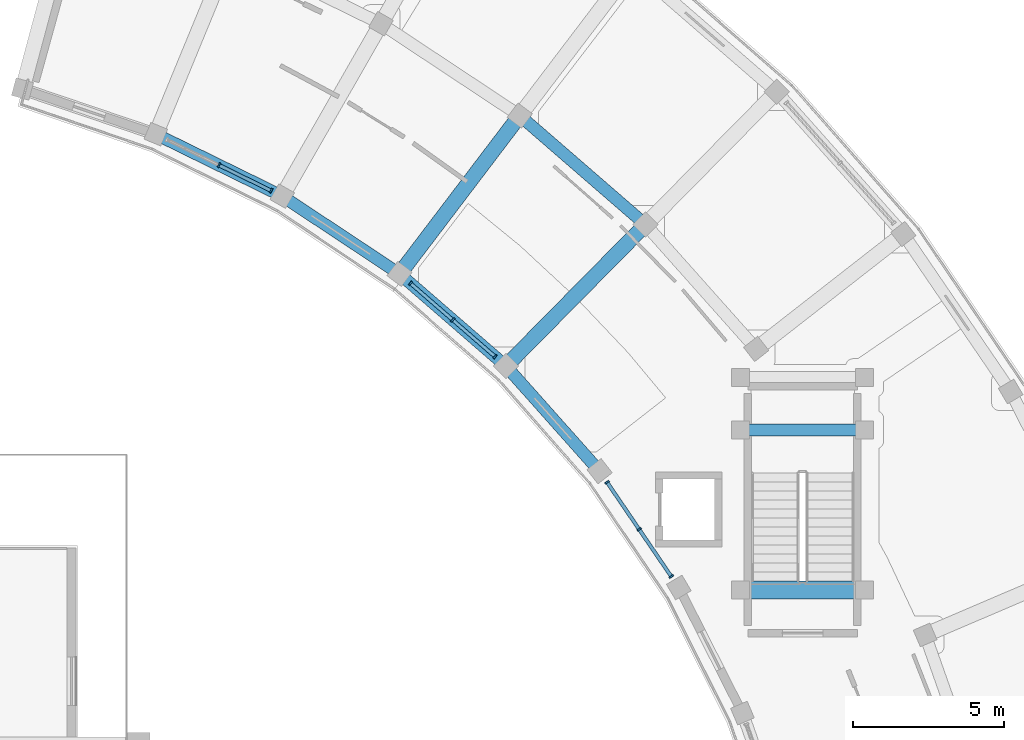
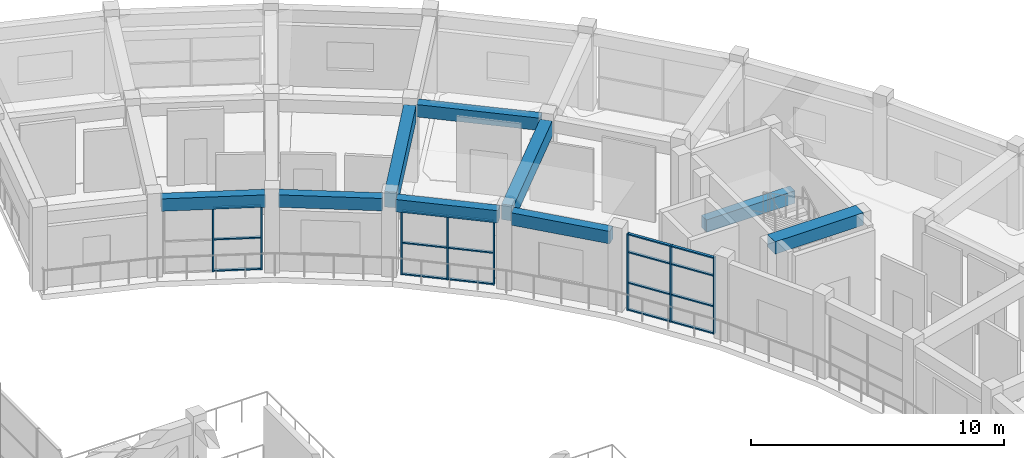
# One storey, part 34 of 72: 25 members, 9 beams, 3 elements without a shape of their own.
"""IFC4 building model written with IfcOpenShell, lengths in metres."""

from ifc_helpers import new_model, si_unit, direction, frame, origin, origin_2d, place, context, subcontext, project, spatial, rectangle, extrude, material, material_profile, profile_set, type_object, element, aggregate, save


model = new_model("IFC4")

# Units and contexts
model_context = context("Model", 3, precision=1e-05, world=origin(), true_north=direction((0.0, 1.0)))
body_context = subcontext(model_context, "Body", "Model", "MODEL_VIEW")
ifc_project = project(units=[si_unit("LENGTHUNIT", "METRE"), si_unit("AREAUNIT", "SQUARE_METRE"), si_unit("VOLUMEUNIT", "CUBIC_METRE"), si_unit("PLANEANGLEUNIT", "RADIAN"), si_unit("MASSUNIT", "GRAM", prefix="KILO")], contexts=[model_context])

# Site, building, storey
site_placement = place(None, origin())
site = spatial("IfcSite", under=ifc_project, at=site_placement, CompositionType="ELEMENT")
building_placement = place(site_placement, origin())
building = spatial("IfcBuilding", under=site, at=building_placement, Name="Saryqyr Civic Hall", CompositionType="ELEMENT")
storey_placement = place(building_placement, frame((0.0, 0.0, 17.25)))
storey = spatial("IfcBuildingStorey", under=building, at=storey_placement, Name="L04", CompositionType="ELEMENT", Elevation=17.25)

# Curtain wall, members
ifc_material_1 = material(Name="Anodised aluminium and triple low-E glass", Category="aluminium")
curtain_wall_type_1 = type_object("IfcCurtainWallType", Name="ENV-CW-STD-44", PredefinedType="NOTDEFINED", material=ifc_material_1)
curtain_wall_1_placement = place(storey_placement, origin())
curtain_wall_1 = element("IfcCurtainWall", 1, at=curtain_wall_1_placement, inside=storey, type_object=curtain_wall_type_1, Name="Curtain wall V6-CWI-L04-04", PredefinedType="NOTDEFINED")
ifc_material_2 = material(Name="Anodised aluminium", Category="aluminium")
ifc_material_profile_1 = material_profile(ifc_material_2, rectangle(XDim=0.06005859375, YDim=0.159912109375, at=origin_2d()), Name="ALU MULLION 60x160")
ifc_profile_set_1 = profile_set([ifc_material_profile_1], Name="Anodised aluminium")
member_type_1 = type_object("IfcMemberType", Name="ENV-CW-MUL-180", PredefinedType="MULLION", material=ifc_profile_set_1)
member_1_placement = place(storey_placement, frame((87.919921875, 102.77587890625, 0.0), z_axis=(0.0, 0.0, 1.0), x_axis=(-0.563129803105, 0.826368455869, 0.0)))
member_1 = element("IfcMember", 2, at=member_1_placement, type_object=member_type_1, Name="CW-44 mullion 1", PredefinedType="MULLION", context=body_context, shape_type="SweptSolid", body=[
    extrude(rectangle(XDim=0.06005859375, YDim=0.159912109375, at=origin_2d()), origin(), (0.0, 0.0, 1.0), 3.699951171875),
])
member_2_placement = place(storey_placement, frame((86.85205078125, 104.3427734375, 0.0), z_axis=(0.0, 0.0, 1.0), x_axis=(-0.563129803105, 0.826368455869, 0.0)))
member_2 = element("IfcMember", 3, at=member_2_placement, type_object=member_type_1, Name="CW-44 mullion 2", PredefinedType="MULLION", context=body_context, shape_type="SweptSolid", body=[
    extrude(rectangle(XDim=0.06005859375, YDim=0.159912109375, at=origin_2d()), origin(), (0.0, 0.0, 1.0), 3.699951171875),
])
member_3_placement = place(storey_placement, frame((85.7841796875, 105.90966796875, 0.0), z_axis=(0.0, 0.0, 1.0), x_axis=(-0.563129803105, 0.826368455869, 0.0)))
member_3 = element("IfcMember", 4, at=member_3_placement, type_object=member_type_1, Name="CW-44 mullion 3", PredefinedType="MULLION", context=body_context, shape_type="SweptSolid", body=[
    extrude(rectangle(XDim=0.06005859375, YDim=0.159912109375, at=origin_2d()), origin(), (0.0, 0.0, 1.0), 3.699951171875),
])

curtain_wall_type_2 = type_object("IfcCurtainWallType", Name="ENV-CW-STD-20", PredefinedType="NOTDEFINED", material=ifc_material_1)
curtain_wall_2_placement = place(storey_placement, origin())
curtain_wall_2 = element("IfcCurtainWall", 5, at=curtain_wall_2_placement, inside=storey, type_object=curtain_wall_type_2, Name="Curtain wall V6-CWI-L04-06", PredefinedType="NOTDEFINED")
member_4_placement = place(storey_placement, frame((82.064208984375, 110.080810546875, 0.0), z_axis=(0.0, 0.0, 1.0), x_axis=(-0.755651502076, 0.654973898267, 0.0)))
member_4 = element("IfcMember", 6, at=member_4_placement, type_object=member_type_1, Name="CW-20 mullion 1", PredefinedType="MULLION", context=body_context, shape_type="SweptSolid", body=[
    extrude(rectangle(XDim=0.06005859375, YDim=0.159912109375, at=origin_2d()), origin(), (0.0, 0.0, 1.0), 3.0849609375),
])
member_5_placement = place(storey_placement, frame((80.660400390625, 111.297607421875, 0.0), z_axis=(0.0, 0.0, 1.0), x_axis=(-0.755651502076, 0.654973898267, 0.0)))
member_5 = element("IfcMember", 7, at=member_5_placement, type_object=member_type_1, Name="CW-20 mullion 2", PredefinedType="MULLION", context=body_context, shape_type="SweptSolid", body=[
    extrude(rectangle(XDim=0.06005859375, YDim=0.159912109375, at=origin_2d()), origin(), (0.0, 0.0, 1.0), 3.0849609375),
])
member_6_placement = place(storey_placement, frame((79.256591796875, 112.514404296875, 0.0), z_axis=(0.0, 0.0, 1.0), x_axis=(-0.755651502076, 0.654973898267, 0.0)))
member_6 = element("IfcMember", 8, at=member_6_placement, type_object=member_type_1, Name="CW-20 mullion 3", PredefinedType="MULLION", context=body_context, shape_type="SweptSolid", body=[
    extrude(rectangle(XDim=0.06005859375, YDim=0.159912109375, at=origin_2d()), origin(), (0.0, 0.0, 1.0), 3.0849609375),
])

curtain_wall_type_3 = type_object("IfcCurtainWallType", Name="ENV-CW-STD-17", PredefinedType="NOTDEFINED", material=ifc_material_1)
curtain_wall_3_placement = place(storey_placement, origin())
curtain_wall_3 = element("IfcCurtainWall", 9, at=curtain_wall_3_placement, inside=storey, type_object=curtain_wall_type_3, Name="Curtain wall V6-CWI-L04-08", PredefinedType="NOTDEFINED")
member_7_placement = place(storey_placement, frame((74.62890625, 115.58984375, 0.0), z_axis=(0.0, 0.0, 1.0), x_axis=(-0.897961859945, 0.440073287175, 0.0)))
member_7 = element("IfcMember", 10, at=member_7_placement, type_object=member_type_1, Name="CW-17 mullion 1", PredefinedType="MULLION", context=body_context, shape_type="SweptSolid", body=[
    extrude(rectangle(XDim=0.06005859375, YDim=0.159912109375, at=origin_2d()), origin(), (0.0, 0.0, 1.0), 3.0849609375),
])
member_8_placement = place(storey_placement, frame((72.896728515625, 116.438720703125, 0.0), z_axis=(0.0, 0.0, 1.0), x_axis=(-0.897961859945, 0.440073287175, 0.0)))
member_8 = element("IfcMember", 11, at=member_8_placement, type_object=member_type_1, Name="CW-17 mullion 2", PredefinedType="MULLION", context=body_context, shape_type="SweptSolid", body=[
    extrude(rectangle(XDim=0.06005859375, YDim=0.159912109375, at=origin_2d()), origin(), (0.0, 0.0, 1.0), 3.0849609375),
])

# Member
ifc_material_profile_2 = material_profile(ifc_material_2, rectangle(XDim=0.1201171875, YDim=0.06005859375, at=origin_2d()), Name="ALU TRANSOM 120x60")
ifc_profile_set_2 = profile_set([ifc_material_profile_2], Name="Anodised aluminium")
member_type_2 = type_object("IfcMemberType", Name="ENV-CW-TRN-150", PredefinedType="USERDEFINED", material=ifc_profile_set_2)
member_9_placement = place(storey_placement, frame((87.903076171875, 102.800537109375, 0.030029296875), z_axis=(-0.563200673278, 0.826320156852, 0.0), x_axis=(-0.826320156852, -0.563200673278, 0.0)))
member_9 = element("IfcMember", 12, at=member_9_placement, type_object=member_type_2, Name="CW-44 transom 1.1", ObjectType="TRANSOM", PredefinedType="USERDEFINED", context=body_context, shape_type="SweptSolid", body=[
    extrude(rectangle(XDim=0.1201171875, YDim=0.06005859375, at=origin_2d()), origin(), (0.0, 0.0, 1.0), 1.836181640625),
])

member_10_placement = place(storey_placement, frame((87.903076171875, 102.800537109375, 1.33203125), z_axis=(-0.563200673278, 0.826320156852, 0.0), x_axis=(-0.826320156852, -0.563200673278, 0.0)))
member_10 = element("IfcMember", 13, at=member_10_placement, type_object=member_type_2, Name="CW-44 transom 1.2", ObjectType="TRANSOM", PredefinedType="USERDEFINED", context=body_context, shape_type="SweptSolid", body=[
    extrude(rectangle(XDim=0.1201171875, YDim=0.06005859375, at=origin_2d()), origin(), (0.0, 0.0, 1.0), 1.836181640625),
])

member_11_placement = place(storey_placement, frame((87.903076171875, 102.800537109375, 2.81201171875), z_axis=(-0.563200673278, 0.826320156852, 0.0), x_axis=(-0.826320156852, -0.563200673278, 0.0)))
member_11 = element("IfcMember", 14, at=member_11_placement, type_object=member_type_2, Name="CW-44 transom 1.3", ObjectType="TRANSOM", PredefinedType="USERDEFINED", context=body_context, shape_type="SweptSolid", body=[
    extrude(rectangle(XDim=0.1201171875, YDim=0.06005859375, at=origin_2d()), origin(), (0.0, 0.0, 1.0), 1.836181640625),
])

member_12_placement = place(storey_placement, frame((87.903076171875, 102.800537109375, 3.669921875), z_axis=(-0.563200673278, 0.826320156852, 0.0), x_axis=(-0.826320156852, -0.563200673278, 0.0)))
member_12 = element("IfcMember", 15, at=member_12_placement, type_object=member_type_2, Name="CW-44 transom 1.4", ObjectType="TRANSOM", PredefinedType="USERDEFINED", context=body_context, shape_type="SweptSolid", body=[
    extrude(rectangle(XDim=0.1201171875, YDim=0.06005859375, at=origin_2d()), origin(), (0.0, 0.0, 1.0), 1.836181640625),
])

member_13_placement = place(storey_placement, frame((86.835205078125, 104.367431640625, 0.030029296875), z_axis=(-0.56304801064, 0.826424187518, 0.0), x_axis=(-0.826424187518, -0.56304801064, 0.0)))
member_13 = element("IfcMember", 16, at=member_13_placement, type_object=member_type_2, Name="CW-44 transom 2.1", ObjectType="TRANSOM", PredefinedType="USERDEFINED", context=body_context, shape_type="SweptSolid", body=[
    extrude(rectangle(XDim=0.1201171875, YDim=0.06005859375, at=origin_2d()), origin(), (0.0, 0.0, 1.0), 1.83642578125),
])

member_14_placement = place(storey_placement, frame((86.835205078125, 104.367431640625, 1.33203125), z_axis=(-0.56304801064, 0.826424187518, 0.0), x_axis=(-0.826424187518, -0.56304801064, 0.0)))
member_14 = element("IfcMember", 17, at=member_14_placement, type_object=member_type_2, Name="CW-44 transom 2.2", ObjectType="TRANSOM", PredefinedType="USERDEFINED", context=body_context, shape_type="SweptSolid", body=[
    extrude(rectangle(XDim=0.1201171875, YDim=0.06005859375, at=origin_2d()), origin(), (0.0, 0.0, 1.0), 1.83642578125),
])

member_15_placement = place(storey_placement, frame((86.835205078125, 104.367431640625, 2.81201171875), z_axis=(-0.56304801064, 0.826424187518, 0.0), x_axis=(-0.826424187518, -0.56304801064, 0.0)))
member_15 = element("IfcMember", 18, at=member_15_placement, type_object=member_type_2, Name="CW-44 transom 2.3", ObjectType="TRANSOM", PredefinedType="USERDEFINED", context=body_context, shape_type="SweptSolid", body=[
    extrude(rectangle(XDim=0.1201171875, YDim=0.06005859375, at=origin_2d()), origin(), (0.0, 0.0, 1.0), 1.83642578125),
])

member_16_placement = place(storey_placement, frame((86.835205078125, 104.367431640625, 3.669921875), z_axis=(-0.56304801064, 0.826424187518, 0.0), x_axis=(-0.826424187518, -0.56304801064, 0.0)))
member_16 = element("IfcMember", 19, at=member_16_placement, type_object=member_type_2, Name="CW-44 transom 2.4", ObjectType="TRANSOM", PredefinedType="USERDEFINED", context=body_context, shape_type="SweptSolid", body=[
    extrude(rectangle(XDim=0.1201171875, YDim=0.06005859375, at=origin_2d()), origin(), (0.0, 0.0, 1.0), 1.83642578125),
])

aggregate(curtain_wall_1, [member_1, member_2, member_3, member_9, member_10, member_11, member_12, member_13, member_14, member_15, member_16])

member_17_placement = place(storey_placement, frame((82.04150390625, 110.1005859375, 0.030029296875), z_axis=(-0.755698045408, 0.654920196793, 0.0), x_axis=(-0.654920196793, -0.755698045408, 0.0)))
member_17 = element("IfcMember", 20, at=member_17_placement, type_object=member_type_2, Name="CW-20 transom 1.1", ObjectType="TRANSOM", PredefinedType="USERDEFINED", context=body_context, shape_type="SweptSolid", body=[
    extrude(rectangle(XDim=0.1201171875, YDim=0.06005859375, at=origin_2d()), origin(), (0.0, 0.0, 1.0), 1.797607421875),
])

member_18_placement = place(storey_placement, frame((82.04150390625, 110.1005859375, 1.54296875), z_axis=(-0.755698045408, 0.654920196793, 0.0), x_axis=(-0.654920196793, -0.755698045408, 0.0)))
member_18 = element("IfcMember", 21, at=member_18_placement, type_object=member_type_2, Name="CW-20 transom 1.2", ObjectType="TRANSOM", PredefinedType="USERDEFINED", context=body_context, shape_type="SweptSolid", body=[
    extrude(rectangle(XDim=0.1201171875, YDim=0.06005859375, at=origin_2d()), origin(), (0.0, 0.0, 1.0), 1.797607421875),
])

member_19_placement = place(storey_placement, frame((82.04150390625, 110.1005859375, 3.054931640625), z_axis=(-0.755698045408, 0.654920196793, 0.0), x_axis=(-0.654920196793, -0.755698045408, 0.0)))
member_19 = element("IfcMember", 22, at=member_19_placement, type_object=member_type_2, Name="CW-20 transom 1.3", ObjectType="TRANSOM", PredefinedType="USERDEFINED", context=body_context, shape_type="SweptSolid", body=[
    extrude(rectangle(XDim=0.1201171875, YDim=0.06005859375, at=origin_2d()), origin(), (0.0, 0.0, 1.0), 1.797607421875),
])

member_20_placement = place(storey_placement, frame((80.6376953125, 111.317138671875, 0.030029296875), z_axis=(-0.755630827507, 0.654997750012, 0.0), x_axis=(-0.654997750012, -0.755630827507, 0.0)))
member_20 = element("IfcMember", 23, at=member_20_placement, type_object=member_type_2, Name="CW-20 transom 2.1", ObjectType="TRANSOM", PredefinedType="USERDEFINED", context=body_context, shape_type="SweptSolid", body=[
    extrude(rectangle(XDim=0.1201171875, YDim=0.06005859375, at=origin_2d()), origin(), (0.0, 0.0, 1.0), 1.797607421875),
])

member_21_placement = place(storey_placement, frame((80.6376953125, 111.317138671875, 1.54296875), z_axis=(-0.755630827507, 0.654997750012, 0.0), x_axis=(-0.654997750012, -0.755630827507, 0.0)))
member_21 = element("IfcMember", 24, at=member_21_placement, type_object=member_type_2, Name="CW-20 transom 2.2", ObjectType="TRANSOM", PredefinedType="USERDEFINED", context=body_context, shape_type="SweptSolid", body=[
    extrude(rectangle(XDim=0.1201171875, YDim=0.06005859375, at=origin_2d()), origin(), (0.0, 0.0, 1.0), 1.797607421875),
])

member_22_placement = place(storey_placement, frame((80.6376953125, 111.317138671875, 3.054931640625), z_axis=(-0.755630827507, 0.654997750012, 0.0), x_axis=(-0.654997750012, -0.755630827507, 0.0)))
member_22 = element("IfcMember", 25, at=member_22_placement, type_object=member_type_2, Name="CW-20 transom 2.3", ObjectType="TRANSOM", PredefinedType="USERDEFINED", context=body_context, shape_type="SweptSolid", body=[
    extrude(rectangle(XDim=0.1201171875, YDim=0.06005859375, at=origin_2d()), origin(), (0.0, 0.0, 1.0), 1.797607421875),
])

aggregate(curtain_wall_2, [member_4, member_5, member_6, member_17, member_18, member_19, member_20, member_21, member_22])

member_23_placement = place(storey_placement, frame((74.60205078125, 115.60302734375, 0.030029296875), z_axis=(-0.897952102471, 0.44009319657, 0.0), x_axis=(-0.44009319657, -0.897952102471, 0.0)))
member_23 = element("IfcMember", 26, at=member_23_placement, type_object=member_type_2, Name="CW-17 transom 1.1", ObjectType="TRANSOM", PredefinedType="USERDEFINED", context=body_context, shape_type="SweptSolid", body=[
    extrude(rectangle(XDim=0.1201171875, YDim=0.06005859375, at=origin_2d()), origin(), (0.0, 0.0, 1.0), 1.868896484375),
])

member_24_placement = place(storey_placement, frame((74.60205078125, 115.60302734375, 1.54296875), z_axis=(-0.897952102471, 0.44009319657, 0.0), x_axis=(-0.44009319657, -0.897952102471, 0.0)))
member_24 = element("IfcMember", 27, at=member_24_placement, type_object=member_type_2, Name="CW-17 transom 1.2", ObjectType="TRANSOM", PredefinedType="USERDEFINED", context=body_context, shape_type="SweptSolid", body=[
    extrude(rectangle(XDim=0.1201171875, YDim=0.06005859375, at=origin_2d()), origin(), (0.0, 0.0, 1.0), 1.868896484375),
])

member_25_placement = place(storey_placement, frame((74.60205078125, 115.60302734375, 3.054931640625), z_axis=(-0.897952102471, 0.44009319657, 0.0), x_axis=(-0.44009319657, -0.897952102471, 0.0)))
member_25 = element("IfcMember", 28, at=member_25_placement, type_object=member_type_2, Name="CW-17 transom 1.3", ObjectType="TRANSOM", PredefinedType="USERDEFINED", context=body_context, shape_type="SweptSolid", body=[
    extrude(rectangle(XDim=0.1201171875, YDim=0.06005859375, at=origin_2d()), origin(), (0.0, 0.0, 1.0), 1.868896484375),
])

aggregate(curtain_wall_3, [member_7, member_8, member_23, member_24, member_25])

# Beams
ifc_material_3 = material(Name="Concrete C35/45", Category="concrete")
ifc_material_profile_3 = material_profile(ifc_material_3, rectangle(XDim=0.39990234375, YDim=0.60009765625, at=origin_2d()), Name="RC 400x600")
ifc_profile_set_3 = profile_set([ifc_material_profile_3], Name="Concrete C35/45")
beam_type_1 = type_object("IfcBeamType", Name="STR-BM-RC400x600", PredefinedType="BEAM", material=ifc_profile_set_3)
beam_1_placement = place(storey_placement, frame((86.85498046875, 114.644287109375, 3.409912109375), z_axis=(-0.755658334576, 0.654966015443, 0.0), x_axis=(-0.654966015443, -0.755658334576, 0.0)))
element("IfcBeam", 29, at=beam_1_placement, inside=storey, type_object=beam_type_1, Name="Beam V6-CBM-MID06-L04", PredefinedType="BEAM", context=body_context, shape_type="SweptSolid", body=[
    extrude(rectangle(XDim=0.39990234375, YDim=0.60009765625, at=origin_2d()), origin(), (0.0, 0.0, 1.0), 4.977783203125),
])
beam_2_placement = place(storey_placement, frame((94.300048828125, 107.64990234375, 1.52490234375), z_axis=(-1.0, 0.0, 0.0), x_axis=(0.0, -1.0, 0.0)))
element("IfcBeam", 30, at=beam_2_placement, inside=storey, type_object=beam_type_1, Name="Stair half-landing support beam ST-6-LND1-L04", PredefinedType="BEAM", context=body_context, shape_type="SweptSolid", body=[
    extrude(rectangle(XDim=0.39990234375, YDim=0.60009765625, at=origin_2d()), origin(), (0.0, 0.0, 1.0), 4.0400390625),
])
ifc_material_profile_4 = material_profile(ifc_material_3, rectangle(XDim=0.39990234375, YDim=0.60009765625, at=origin_2d()), Name="RC 400x600")
ifc_profile_set_4 = profile_set([ifc_material_profile_4], Name="Concrete C35/45")
beam_type_2 = type_object("IfcBeamType", Name="STR-BM-RC400x600-EXT", PredefinedType="BEAM", material=ifc_profile_set_4)
beam_3_placement = place(storey_placement, frame((85.352783203125, 106.47998046875, 3.409912109375), z_axis=(-0.664933037621, 0.746902975948, 0.0), x_axis=(-0.746902975948, -0.664933037621, 0.0)))
element("IfcBeam", 31, at=beam_3_placement, inside=storey, type_object=beam_type_2, Name="Beam V6-CBM-IN05-L04", PredefinedType="BEAM", context=body_context, shape_type="SweptSolid", body=[
    extrude(rectangle(XDim=0.39990234375, YDim=0.60009765625, at=origin_2d()), origin(), (0.0, 0.0, 1.0), 4.125),
])
beam_4_placement = place(storey_placement, frame((82.218994140625, 109.946533203125, 3.409912109375), z_axis=(-0.755618782617, 0.655011645207, 0.0), x_axis=(-0.655011645207, -0.755618782617, 0.0)))
element("IfcBeam", 32, at=beam_4_placement, inside=storey, type_object=beam_type_2, Name="Beam V6-CBM-IN06-L04", PredefinedType="BEAM", context=body_context, shape_type="SweptSolid", body=[
    extrude(rectangle(XDim=0.39990234375, YDim=0.60009765625, at=origin_2d()), origin(), (0.0, 0.0, 1.0), 4.125244140625),
])
beam_5_placement = place(storey_placement, frame((78.664794921875, 112.98046875, 3.409912109375), z_axis=(-0.833757941264, 0.552130143516, 0.0), x_axis=(-0.552130143516, -0.833757941264, 0.0)))
element("IfcBeam", 33, at=beam_5_placement, inside=storey, type_object=beam_type_2, Name="Beam V6-CBM-IN07-L04", PredefinedType="BEAM", context=body_context, shape_type="SweptSolid", body=[
    extrude(rectangle(XDim=0.39990234375, YDim=0.60009765625, at=origin_2d()), origin(), (0.0, 0.0, 1.0), 4.12548828125),
])
beam_6_placement = place(storey_placement, frame((74.7490234375, 115.531005859375, 3.409912109375), z_axis=(-0.897961536886, 0.440073946371, 0.0), x_axis=(-0.440073946371, -0.897961536886, 0.0)))
element("IfcBeam", 34, at=beam_6_placement, inside=storey, type_object=beam_type_2, Name="Beam V6-CBM-IN08-L04", PredefinedType="BEAM", context=body_context, shape_type="SweptSolid", body=[
    extrude(rectangle(XDim=0.39990234375, YDim=0.60009765625, at=origin_2d()), origin(), (0.0, 0.0, 1.0), 4.125244140625),
])
ifc_material_4 = material(Name="Concrete C40/50", Category="concrete")
ifc_material_profile_5 = material_profile(ifc_material_4, rectangle(XDim=0.5, YDim=0.75, at=origin_2d()), Name="RC 500x750")
ifc_profile_set_5 = profile_set([ifc_material_profile_5], Name="Concrete C40/50")
beam_type_3 = type_object("IfcBeamType", Name="STR-BM-RC500x750", PredefinedType="BEAM", material=ifc_profile_set_5)
for number, where, z_axis, x_axis, name in (
    (35, (82.6201171875, 109.962158203125, 3.3349609375), (0.702389990829, 0.711792315766, 0.0), (-0.711792315766, 0.702389990829, 0.0), "Beam V6-RBM-A06-L04"),
    (36, (79.060302734375, 113.047607421875, 3.3349609375), (0.60481209734, 0.796368210636, 0.0), (-0.796368210636, 0.60481209734, 0.0), "Beam V6-RBM-A07-L04"),
):
    element("IfcBeam", number, at=place(storey_placement, frame(where, z_axis=z_axis, x_axis=x_axis)), inside=storey, type_object=beam_type_3, Name=name, PredefinedType="BEAM", context=body_context, shape_type="SweptSolid", body=[
        extrude(rectangle(XDim=0.5, YDim=0.75, at=origin_2d()), origin(), (0.0, 0.0, 1.0), 6.050048828125),
    ])
ifc_material_profile_6 = material_profile(ifc_material_4, rectangle(XDim=0.60009765625, YDim=0.60009765625, at=origin_2d()), Name="RC 600x600")
ifc_profile_set_6 = profile_set([ifc_material_profile_6], Name="Concrete C40/50")
beam_type_4 = type_object("IfcBeamType", Name="STR-BM-RC600x600", PredefinedType="BEAM", material=ifc_profile_set_6)
beam_7_placement = place(storey_placement, frame((94.300048828125, 102.3349609375, 3.75), z_axis=(-1.0, 0.0, 0.0), x_axis=(0.0, -1.0, 0.0)))
element("IfcBeam", 37, at=beam_7_placement, inside=storey, type_object=beam_type_4, Name="Stair well trimmer beam ST-6-L05", PredefinedType="BEAM", context=body_context, shape_type="SweptSolid", body=[
    extrude(rectangle(XDim=0.60009765625, YDim=0.60009765625, at=origin_2d()), origin(), (0.0, 0.0, 1.0), 4.0400390625),
])

save(model, "model.ifc")
